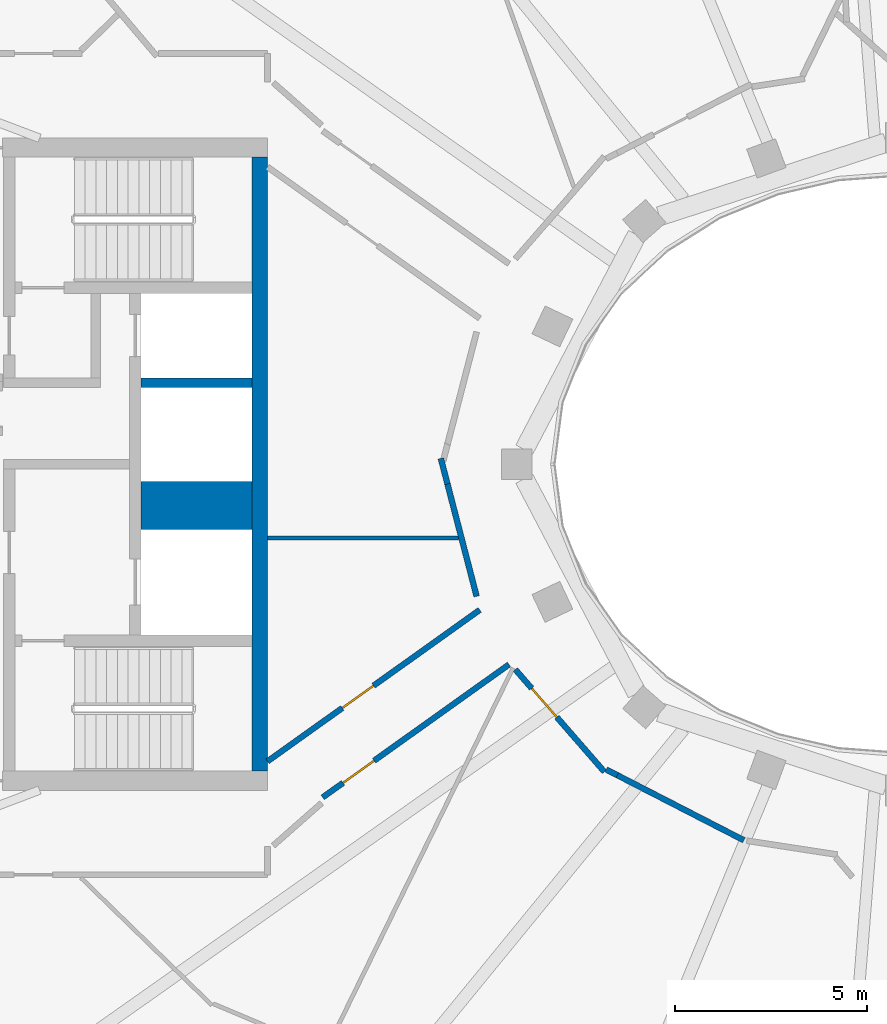
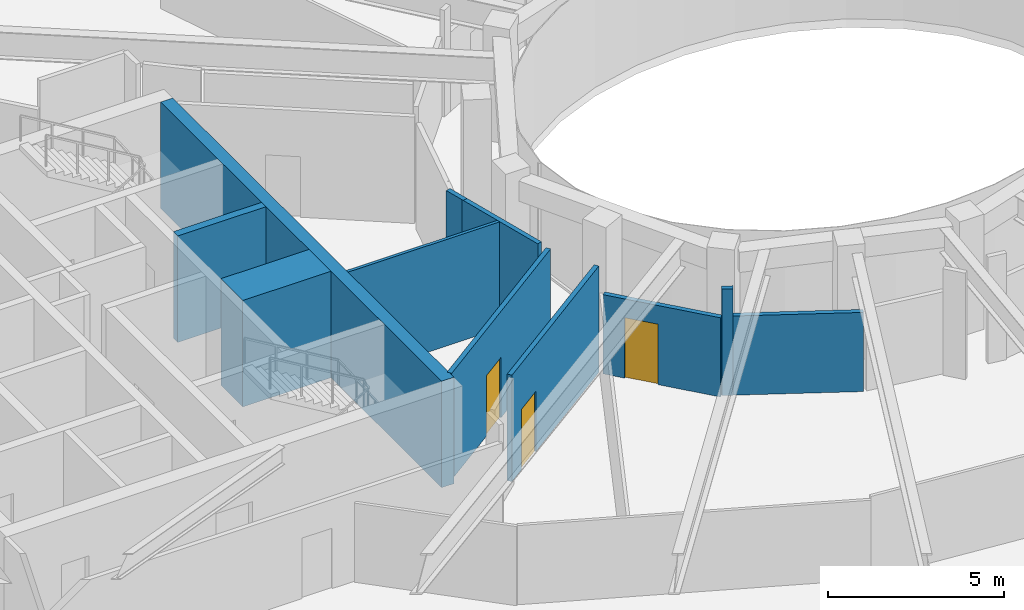
# One storey, part 4 of 20: 11 walls, 3 doors, 3 openings.
"""IFC4 building model written with IfcOpenShell, lengths in metres."""

from ifc_helpers import new_model, si_unit, direction, frame, frame_2d, origin, place, context, subcontext, project, spatial, rectangle, extrude, material, layer, layer_set, type_object, element, fill, save


model = new_model("IFC4")

# Units and contexts
model_context = context("Model", 3, precision=1e-05, world=origin(), true_north=direction((0.0, 1.0)))
body_context = subcontext(model_context, "Body", "Model", "MODEL_VIEW")
ifc_project = project(units=[si_unit("LENGTHUNIT", "METRE"), si_unit("AREAUNIT", "SQUARE_METRE"), si_unit("VOLUMEUNIT", "CUBIC_METRE"), si_unit("PLANEANGLEUNIT", "RADIAN"), si_unit("MASSUNIT", "GRAM", prefix="KILO")], contexts=[model_context])

# Site, building, storey
site_placement = place(None, origin())
site = spatial("IfcSite", under=ifc_project, at=site_placement, CompositionType="ELEMENT")
building_placement = place(site_placement, origin())
building = spatial("IfcBuilding", under=site, at=building_placement, Name="Noorbagh Ring Tower", CompositionType="ELEMENT")
storey_placement = place(building_placement, frame((0.0, 0.0, 323.0)))
storey = spatial("IfcBuildingStorey", under=building, at=storey_placement, Name="L70", CompositionType="ELEMENT", Elevation=323.0)

# Walls
ifc_material_1 = material(Name="Concrete C50/60", Category="concrete")
ifc_layer_1 = layer(ifc_material_1, 1.25)
ifc_layer_set_1 = layer_set([ifc_layer_1], Name="Concrete C50/60")
wall_type_1 = type_object("IfcWallType", Name="CORE-WALL-1250-C50-60-EI120", PredefinedType="SHEAR", material=ifc_layer_set_1)
wall_1_placement = place(storey_placement, frame((-16.89990234375, -1.074951171875, 0.0), z_axis=(0.0, 0.0, 1.0), x_axis=(-1.0, 0.0, 0.0)))
element("IfcWall", 1, at=wall_1_placement, inside=storey, type_object=wall_type_1, Name="Core wall W", PredefinedType="SHEAR", context=body_context, shape_type="SweptSolid", body=[
    extrude(rectangle(XDim=2.900146484375, YDim=1.25, at=frame_2d((1.4501953125, 0.0))), origin(), (0.0, 0.0, 1.0), 3.699951171875),
])
ifc_material_2 = material(Name="Concrete C50/60", Category="concrete")
ifc_layer_2 = layer(ifc_material_2, 0.25)
ifc_layer_set_2 = layer_set([ifc_layer_2], Name="Concrete C50/60")
wall_type_2 = type_object("IfcWallType", Name="CORE-WALL-250-C50-60-EI120", PredefinedType="SHEAR", material=ifc_layer_set_2)
wall_2_placement = place(storey_placement, frame((-16.89990234375, 2.125, 0.0), z_axis=(0.0, 0.0, 1.0), x_axis=(-1.0, 0.0, 0.0)))
element("IfcWall", 2, at=wall_2_placement, inside=storey, type_object=wall_type_2, Name="Core wall W", PredefinedType="SHEAR", context=body_context, shape_type="SweptSolid", body=[
    extrude(rectangle(XDim=2.900146484375, YDim=0.25, at=frame_2d((1.4501953125, 0.0))), origin(), (0.0, 0.0, 1.0), 3.699951171875),
])
ifc_material_3 = material(Name="Concrete C50/60", Category="concrete")
ifc_layer_3 = layer(ifc_material_3, 0.39990234375)
ifc_layer_set_3 = layer_set([ifc_layer_3], Name="Concrete C50/60")
wall_type_3 = type_object("IfcWallType", Name="CORE-WALL-400-C50-60-EI240", PredefinedType="SHEAR", material=ifc_layer_set_3)
wall_3_placement = place(storey_placement, frame((-16.699951171875, -8.0, 0.0), z_axis=(0.0, 0.0, 1.0), x_axis=(0.0, 1.0, 0.0)))
element("IfcWall", 3, at=wall_3_placement, inside=storey, type_object=wall_type_3, Name="Core wall W", PredefinedType="SHEAR", context=body_context, shape_type="SweptSolid", body=[
    extrude(rectangle(XDim=16.0, YDim=0.39990234375, at=frame_2d((8.0, 0.0))), origin(), (0.0, 0.0, 1.0), 3.699951171875),
])

# Wall, opening, door
ifc_material_4 = material(Name="Gypsum board on steel studs", Category="steel")
ifc_layer_4 = layer(ifc_material_4, 0.14990234375)
ifc_layer_set_4 = layer_set([ifc_layer_4], Name="Gypsum board on steel studs")
wall_type_4 = type_object("IfcWallType", Name="CORRIDOR PARTITION 150 EI 30", PredefinedType="PARTITIONING", material=ifc_layer_set_4)
wall_4_placement = place(storey_placement, frame((-16.5, -7.743896484375, 0.0), z_axis=(0.0, 0.0, 1.0), x_axis=(0.814095150002, 0.580731510032, 0.0)))
wall_4 = element("IfcWall", 4, at=wall_4_placement, inside=storey, type_object=wall_type_4, Name="L70/wall/P23", PredefinedType="PARTITIONING", context=body_context, shape_type="SweptSolid", body=[
    extrude(rectangle(XDim=6.79296875, YDim=0.14990234375, at=frame_2d((3.396484375, 0.0))), origin(), (0.0, 0.0, 1.0), 3.699951171875),
])
opening_1_placement = place(wall_4_placement, frame((2.392822265625, 0.0, 0.0)))
opening_1 = element("IfcOpeningElement", 5, at=opening_1_placement, cuts=wall_4, Name="Opening D1", PredefinedType="OPENING", context=body_context, shape_type="SweptSolid", body=[
    extrude(rectangle(XDim=1.0, YDim=2.10009765625, at=frame_2d((0.5, 1.050048828125))), frame((0.0, 0.0849609375, 0.0), z_axis=(0.0, -1.0, 0.0), x_axis=(1.0, 0.0, 0.0)), (0.0, 0.0, 1.0), 0.169921875),
])
ifc_material_5 = material(Name="Timber, painted", Category="wood")
door_type = type_object("IfcDoorType", Name="DOOR 1000 X 2100 FD30", OperationType="SINGLE_SWING_LEFT", PredefinedType="DOOR", material=ifc_material_5)
door_1_placement = place(opening_1_placement, origin())
door_1 = element("IfcDoor", 6, at=door_1_placement, inside=storey, type_object=door_type, Name="L70-D18", OperationType="SINGLE_SWING_RIGHT", OverallHeight=2.10009765625, OverallWidth=1.0, PredefinedType="DOOR", context=body_context, shape_type="SweptSolid", body=[
    extrude(rectangle(XDim=1.0, YDim=2.10009765625, at=frame_2d((0.5, 1.050048828125))), frame((0.0, 0.02490234375, 0.0), z_axis=(0.0, -1.0, 0.0), x_axis=(1.0, 0.0, 0.0)), (0.0, 0.0, 1.0), 0.050048828125),
])
fill(opening_1, door_1)

wall_5_placement = place(storey_placement, frame((-15.06298828125, -8.68408203125, 0.0), z_axis=(0.0, 0.0, 1.0), x_axis=(0.814106730479, 0.580715275663, 0.0)))
wall_5 = element("IfcWall", 7, at=wall_5_placement, inside=storey, type_object=wall_type_4, Name="L70/wall/P25", PredefinedType="PARTITIONING", context=body_context, shape_type="SweptSolid", body=[
    extrude(rectangle(XDim=5.963623046875, YDim=0.14990234375, at=frame_2d((2.98193359375, 0.0))), origin(), (0.0, 0.0, 1.0), 3.699951171875),
])
opening_2_placement = place(wall_5_placement, frame((0.64990234375, 0.0, 0.0)))
opening_2 = element("IfcOpeningElement", 8, at=opening_2_placement, cuts=wall_5, Name="Opening D1", PredefinedType="OPENING", context=body_context, shape_type="SweptSolid", body=[
    extrude(rectangle(XDim=1.0, YDim=2.10009765625, at=frame_2d((0.5, 1.050048828125))), frame((0.0, 0.0849609375, 0.0), z_axis=(0.0, -1.0, 0.0), x_axis=(1.0, 0.0, 0.0)), (0.0, 0.0, 1.0), 0.169921875),
])
door_2_placement = place(opening_2_placement, origin())
door_2 = element("IfcDoor", 9, at=door_2_placement, inside=storey, type_object=door_type, Name="L70-D07", OperationType="SINGLE_SWING_LEFT", OverallHeight=2.10009765625, OverallWidth=1.0, PredefinedType="DOOR", context=body_context, shape_type="SweptSolid", body=[
    extrude(rectangle(XDim=1.0, YDim=2.10009765625, at=frame_2d((0.5, 1.050048828125))), frame((0.0, 0.02490234375, 0.0), z_axis=(0.0, -1.0, 0.0), x_axis=(1.0, 0.0, 0.0)), (0.0, 0.0, 1.0), 0.050048828125),
])
fill(opening_2, door_2)

# Walls
wall_6_placement = place(storey_placement, frame((-11.98388671875, 0.14892578125, 0.0), z_axis=(0.0, 0.0, 1.0), x_axis=(0.251845889869, -0.967767352082, 0.0)))
element("IfcWall", 10, at=wall_6_placement, inside=storey, type_object=wall_type_4, Name="L70/wall/P28", PredefinedType="PARTITIONING", context=body_context, shape_type="SweptSolid", body=[
    extrude(rectangle(XDim=0.690185546875, YDim=0.14990234375, at=frame_2d((0.34521484375, 0.0))), origin(), (0.0, 0.0, 1.0), 3.699951171875),
])
wall_7_placement = place(storey_placement, frame((-11.822021484375, -0.47412109375, 0.0), z_axis=(0.0, 0.0, 1.0), x_axis=(0.25119126736, -0.967937470709, 0.0)))
element("IfcWall", 11, at=wall_7_placement, inside=storey, type_object=wall_type_4, Name="L70/wall/P32", PredefinedType="PARTITIONING", context=body_context, shape_type="SweptSolid", body=[
    extrude(rectangle(XDim=3.0693359375, YDim=0.14990234375, at=frame_2d((1.53466796875, 0.0))), origin(), (0.0, 0.0, 1.0), 3.699951171875),
])

# Wall, opening, door
wall_8_placement = place(storey_placement, frame((-10.04296875, -5.35107421875, 0.0), z_axis=(0.0, 0.0, 1.0), x_axis=(0.656624899746, -0.754217303589, 0.0)))
wall_8 = element("IfcWall", 12, at=wall_8_placement, inside=storey, type_object=wall_type_4, Name="L70/wall/P34", PredefinedType="PARTITIONING", context=body_context, shape_type="SweptSolid", body=[
    extrude(rectangle(XDim=3.534912109375, YDim=0.14990234375, at=frame_2d((1.767578125, 0.0))), origin(), (0.0, 0.0, 1.0), 2.75),
])
opening_3_placement = place(wall_8_placement, frame((0.64990234375, 0.0, 0.0)))
opening_3 = element("IfcOpeningElement", 13, at=opening_3_placement, cuts=wall_8, Name="Opening D1", PredefinedType="OPENING", context=body_context, shape_type="SweptSolid", body=[
    extrude(rectangle(XDim=1.0, YDim=2.10009765625, at=frame_2d((0.5, 1.050048828125))), frame((0.0, 0.0849609375, 0.0), z_axis=(0.0, -1.0, 0.0), x_axis=(1.0, 0.0, 0.0)), (0.0, 0.0, 1.0), 0.169921875),
])
door_3_placement = place(opening_3_placement, origin())
door_3 = element("IfcDoor", 14, at=door_3_placement, inside=storey, type_object=door_type, Name="L70-D09", OperationType="SINGLE_SWING_LEFT", OverallHeight=2.10009765625, OverallWidth=1.0, PredefinedType="DOOR", context=body_context, shape_type="SweptSolid", body=[
    extrude(rectangle(XDim=1.0, YDim=2.10009765625, at=frame_2d((0.5, 1.050048828125))), frame((0.0, 0.02490234375, 0.0), z_axis=(0.0, -1.0, 0.0), x_axis=(1.0, 0.0, 0.0)), (0.0, 0.0, 1.0), 0.050048828125),
])
fill(opening_3, door_3)

# Walls
wall_9_placement = place(storey_placement, frame((-7.674072265625, -7.95703125, 0.0), z_axis=(0.0, 0.0, 1.0), x_axis=(0.888323550582, -0.459218106657, 0.0)))
element("IfcWall", 15, at=wall_9_placement, inside=storey, type_object=wall_type_4, Name="L70/wall/P38", PredefinedType="PARTITIONING", context=body_context, shape_type="SweptSolid", body=[
    extrude(rectangle(XDim=0.32421875, YDim=0.14990234375, at=frame_2d((0.162109375, 0.0))), origin(), (0.0, 0.0, 1.0), 3.699951171875),
])
wall_10_placement = place(storey_placement, frame((-7.389892578125, -8.10302734375, 0.0), z_axis=(0.0, 0.0, 1.0), x_axis=(0.889364897782, -0.457198073699, 0.0)))
element("IfcWall", 16, at=wall_10_placement, inside=storey, type_object=wall_type_4, Name="L70/wall/P40", PredefinedType="PARTITIONING", context=body_context, shape_type="SweptSolid", body=[
    extrude(rectangle(XDim=3.716064453125, YDim=0.14990234375, at=frame_2d((1.85791015625, 0.0))), origin(), (0.0, 0.0, 1.0), 2.75),
])
ifc_material_6 = material(Name="Gypsum board on steel studs", Category="steel")
ifc_layer_5 = layer(ifc_material_6, 0.10009765625)
ifc_layer_set_5 = layer_set([ifc_layer_5], Name="Gypsum board on steel studs")
wall_type_5 = type_object("IfcWallType", Name="PARTITION 100 GYPSUM", PredefinedType="PARTITIONING", material=ifc_layer_set_5)
wall_11_placement = place(storey_placement, frame((-16.5, -1.928955078125, 0.0), z_axis=(0.0, 0.0, 1.0), x_axis=(1.0, 0.0, 0.0)))
element("IfcWall", 17, at=wall_11_placement, inside=storey, type_object=wall_type_5, Name="L70/wall/P21", PredefinedType="PARTITIONING", context=body_context, shape_type="SweptSolid", body=[
    extrude(rectangle(XDim=4.97509765625, YDim=0.10009765625, at=frame_2d((2.487548828125, 0.0))), origin(), (0.0, 0.0, 1.0), 3.699951171875),
])

save(model, "model.ifc")
